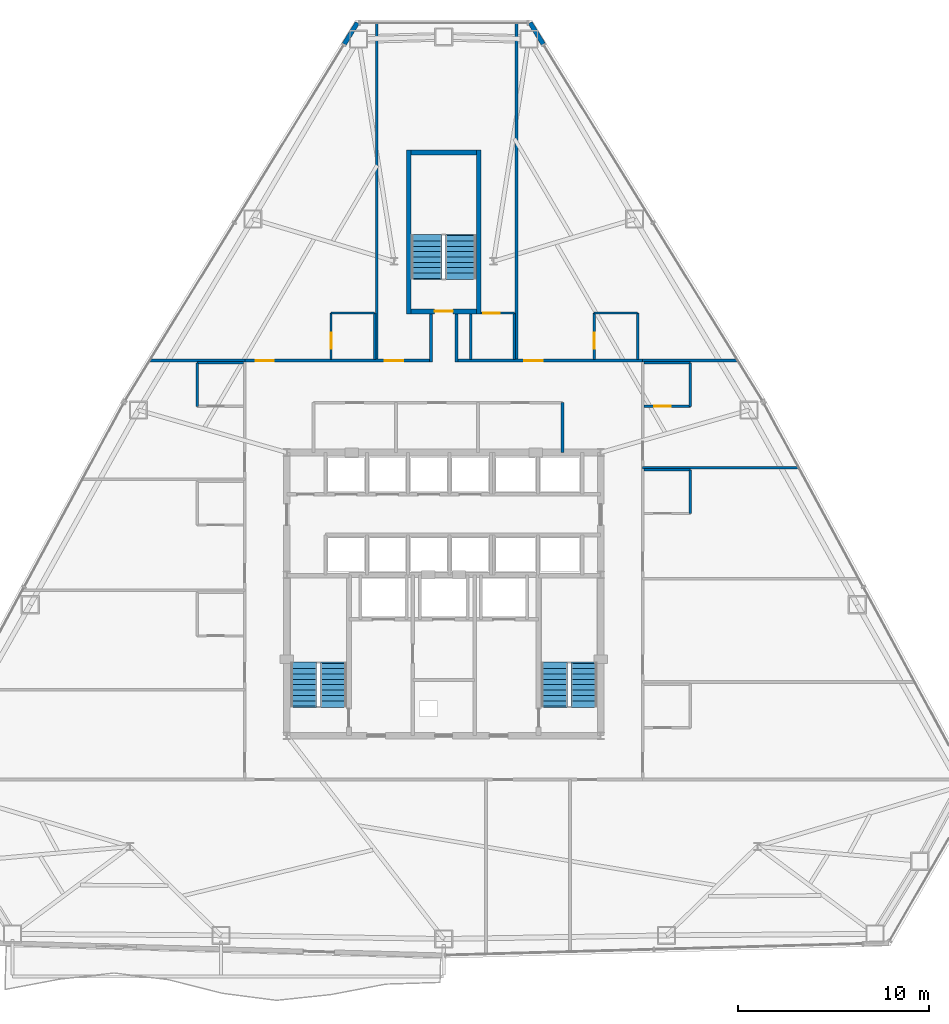
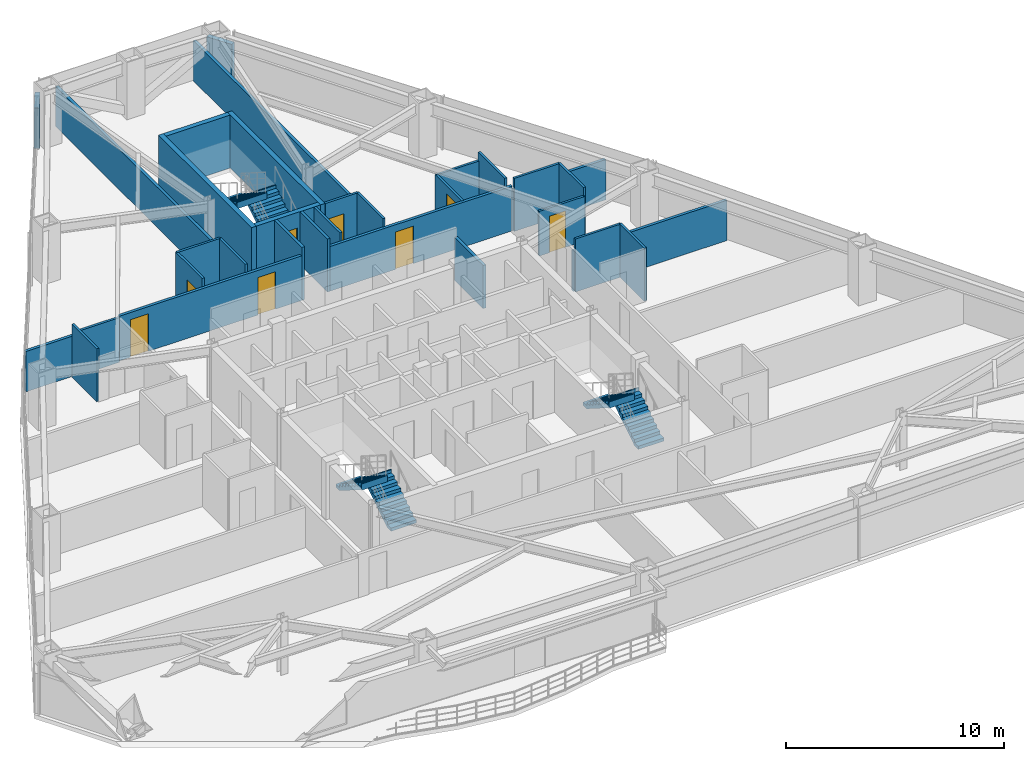
# One storey, part 11 of 13: 32 walls, 8 doors, 6 stair flights, 8 openings, 3 elements without a shape of their own.
"""IFC4 building model written with IfcOpenShell, lengths in metres."""

from ifc_helpers import new_model, si_unit, direction, frame, frame_2d, origin, place, context, subcontext, project, spatial, polyline, rectangle, outline, extrude, material, layer, layer_set, type_object, element, fill, aggregate, save


model = new_model("IFC4")

# Units and contexts
model_context = context("Model", 3, precision=1e-05, world=origin(), true_north=direction((0.0, 1.0)))
body_context = subcontext(model_context, "Body", "Model", "MODEL_VIEW")
ifc_project = project(units=[si_unit("LENGTHUNIT", "METRE"), si_unit("AREAUNIT", "SQUARE_METRE"), si_unit("VOLUMEUNIT", "CUBIC_METRE"), si_unit("PLANEANGLEUNIT", "RADIAN"), si_unit("MASSUNIT", "GRAM", prefix="KILO")], contexts=[model_context])

# Site, building, storey
site_placement = place(None, origin())
site = spatial("IfcSite", under=ifc_project, at=site_placement, CompositionType="ELEMENT")
building_placement = place(site_placement, origin())
building = spatial("IfcBuilding", under=site, at=building_placement, Name="Varakhsha Concourse Tower", CompositionType="ELEMENT")
storey_placement = place(building_placement, frame((0.0, 0.0, 102.199951171875)))
storey = spatial("IfcBuildingStorey", under=building, at=storey_placement, Name="L29", CompositionType="ELEMENT", Elevation=102.199951171875)

# Walls
ifc_material_1 = material(Name="Concrete fc 45 MPa", Category="concrete")
ifc_layer_1 = layer(ifc_material_1, 0.239990234375, Name="WL-EXT-CRN-240")
ifc_layer_set_1 = layer_set([ifc_layer_1], Name="Concrete fc 45 MPa")
wall_type_1 = type_object("IfcWallType", Name="WL-EXT-CRN-240", PredefinedType="SHEAR", material=ifc_layer_set_1)
for number, where, z_axis, x_axis, name in (
    (1, (35.484375, 53.66259765625, 0.0), (0.0, 0.0, 1.0), (-0.523671203533, -0.851920460248, 0.0), "L29 Wind-Corner Shoulder Wall F2"),
    (2, (45.201904296875, 52.546142578125, 0.0), (0.0, 0.0, 1.0), (-0.523671203533, 0.851920460248, 0.0), "L29 Wind-Corner Shoulder Wall F9"),
):
    element("IfcWall", number, at=place(storey_placement, frame(where, z_axis=z_axis, x_axis=x_axis)), inside=storey, type_object=wall_type_1, Name=name, PredefinedType="SHEAR", context=body_context, shape_type="SweptSolid", body=[
        extrude(rectangle(XDim=1.310546875, YDim=0.239990234375, at=frame_2d((0.6552734375, 0.0))), origin(), (0.0, 0.0, 1.0), 2.2529296875),
    ])
ifc_material_2 = material(Name="Acoustic Gypsum Board Partition Assembly", Category="gypsum")
ifc_layer_2 = layer(ifc_material_2, 0.1201171875, Name="WL-PART-120")
ifc_layer_set_2 = layer_set([ifc_layer_2], Name="Acoustic Gypsum Board Partition Assembly")
wall_type_2 = type_object("IfcWallType", Name="WL-PART-120", PredefinedType="PARTITIONING", material=ifc_layer_set_2)
wall_1_placement = place(storey_placement, frame((27.110107421875, 33.610107421875, 0.0), z_axis=(0.0, 0.0, 1.0), x_axis=(0.0, 1.0, 0.0)))
element("IfcWall", 3, at=wall_1_placement, inside=storey, type_object=wall_type_2, Name="L29 Wall ENSW-W-L29-H07", PredefinedType="PARTITIONING", context=body_context, shape_type="SweptSolid", body=[
    extrude(rectangle(XDim=2.27978515625, YDim=0.1201171875, at=frame_2d((1.139892578125, 0.0))), origin(), (0.0, 0.0, 1.0), 2.969970703125),
])
wall_2_placement = place(storey_placement, frame((27.110107421875, 35.889892578125, 0.0), z_axis=(0.0, 0.0, 1.0), x_axis=(1.0, 0.0, 0.0)))
element("IfcWall", 4, at=wall_2_placement, inside=storey, type_object=wall_type_2, Name="L29 Wall ENSW-N-L29-H07", PredefinedType="PARTITIONING", context=body_context, shape_type="SweptSolid", body=[
    extrude(rectangle(XDim=2.429931640625, YDim=0.1201171875, at=frame_2d((1.21484375, 0.0))), origin(), (0.0, 0.0, 1.0), 2.5029296875),
])
wall_3_placement = place(storey_placement, frame((52.889892578125, 28.010009765625, 0.0), z_axis=(0.0, 0.0, 1.0), x_axis=(0.0, 1.0, 0.0)))
element("IfcWall", 5, at=wall_3_placement, inside=storey, type_object=wall_type_2, Name="L29 Wall ENSW-E-L29-H10", PredefinedType="PARTITIONING", context=body_context, shape_type="SweptSolid", body=[
    extrude(rectangle(XDim=2.280029296875, YDim=0.1201171875, at=frame_2d((1.14013671875, 0.0))), origin(), (0.0, 0.0, 1.0), 2.969970703125),
])
wall_4_placement = place(storey_placement, frame((50.4599609375, 30.2900390625, 0.0), z_axis=(0.0, 0.0, 1.0), x_axis=(1.0, 0.0, 0.0)))
element("IfcWall", 6, at=wall_4_placement, inside=storey, type_object=wall_type_2, Name="L29 Wall ENSW-N-L29-H10", PredefinedType="PARTITIONING", context=body_context, shape_type="SweptSolid", body=[
    extrude(rectangle(XDim=2.429931640625, YDim=0.1201171875, at=frame_2d((1.21484375, 0.0))), origin(), (0.0, 0.0, 1.0), 2.969970703125),
])
wall_5_placement = place(storey_placement, frame((52.889892578125, 33.610107421875, 0.0), z_axis=(0.0, 0.0, 1.0), x_axis=(0.0, 1.0, 0.0)))
element("IfcWall", 7, at=wall_5_placement, inside=storey, type_object=wall_type_2, Name="L29 Wall ENSW-E-L29-H11", PredefinedType="PARTITIONING", context=body_context, shape_type="SweptSolid", body=[
    extrude(rectangle(XDim=2.27978515625, YDim=0.1201171875, at=frame_2d((1.139892578125, 0.0))), origin(), (0.0, 0.0, 1.0), 2.969970703125),
])

# Wall, opening, door
wall_6_placement = place(storey_placement, frame((50.4599609375, 33.610107421875, 0.0), z_axis=(0.0, 0.0, 1.0), x_axis=(1.0, 0.0, 0.0)))
wall_6 = element("IfcWall", 8, at=wall_6_placement, inside=storey, type_object=wall_type_2, Name="L29 Wall ENSW-S-L29-H11", PredefinedType="PARTITIONING", context=body_context, shape_type="SweptSolid", body=[
    extrude(rectangle(XDim=2.429931640625, YDim=0.1201171875, at=frame_2d((1.21484375, 0.0))), origin(), (0.0, 0.0, 1.0), 2.5029296875),
])
opening_1_placement = place(wall_6_placement, frame((0.550048828125, 0.0, 0.0)))
opening_1 = element("IfcOpeningElement", 9, at=opening_1_placement, cuts=wall_6, Name="Opening DI-01", PredefinedType="OPENING", context=body_context, shape_type="SweptSolid", body=[
    extrude(rectangle(XDim=0.85009765625, YDim=2.050048828125, at=frame_2d((0.425048828125, 1.02490234375))), frame((0.0, 0.070068359375, 0.0), z_axis=(0.0, -1.0, 0.0), x_axis=(1.0, 0.0, 0.0)), (0.0, 0.0, 1.0), 0.14013671875),
])
ifc_material_3 = material(Name="Architectural Walnut Acoustic Timber Door", Category="wood")
door_type_1 = type_object("IfcDoorType", Name="DR-INT-850", OperationType="NOTDEFINED", PredefinedType="DOOR", material=ifc_material_3)
door_1_placement = place(opening_1_placement, origin())
door_1 = element("IfcDoor", 10, at=door_1_placement, inside=storey, type_object=door_type_1, Name="L29 En-suite Bathroom Door L29-H11", OperationType="SINGLE_SWING_RIGHT", OverallHeight=2.050048828125, OverallWidth=0.85009765625, PredefinedType="DOOR", context=body_context, shape_type="SweptSolid", body=[
    extrude(rectangle(XDim=0.85009765625, YDim=2.050048828125, at=frame_2d((0.425048828125, 1.02490234375))), frame((0.0, 0.02490234375, 0.0), z_axis=(0.0, -1.0, 0.0), x_axis=(1.0, 0.0, 0.0)), (0.0, 0.0, 1.0), 0.050048828125),
])
fill(opening_1, door_1)

# Wall
wall_7_placement = place(storey_placement, frame((50.4599609375, 35.889892578125, 0.0), z_axis=(0.0, 0.0, 1.0), x_axis=(1.0, 0.0, 0.0)))
element("IfcWall", 11, at=wall_7_placement, inside=storey, type_object=wall_type_2, Name="L29 Wall ENSW-N-L29-H11", PredefinedType="PARTITIONING", context=body_context, shape_type="SweptSolid", body=[
    extrude(rectangle(XDim=2.429931640625, YDim=0.1201171875, at=frame_2d((1.21484375, 0.0))), origin(), (0.0, 0.0, 1.0), 2.969970703125),
])

# Wall, opening, door
wall_8_placement = place(storey_placement, frame((34.110107421875, 36.06005859375, 0.0), z_axis=(0.0, 0.0, 1.0), x_axis=(0.0, 1.0, 0.0)))
wall_8 = element("IfcWall", 12, at=wall_8_placement, inside=storey, type_object=wall_type_2, Name="L29 Wall ENSW-W-L29-H12", PredefinedType="PARTITIONING", context=body_context, shape_type="SweptSolid", body=[
    extrude(rectangle(XDim=2.429931640625, YDim=0.1201171875, at=frame_2d((1.21484375, 0.0))), origin(), (0.0, 0.0, 1.0), 2.969970703125),
])
opening_2_placement = place(wall_8_placement, frame((0.550048828125, 0.0, 0.0)))
opening_2 = element("IfcOpeningElement", 13, at=opening_2_placement, cuts=wall_8, Name="Opening DI-01", PredefinedType="OPENING", context=body_context, shape_type="SweptSolid", body=[
    extrude(rectangle(XDim=0.85009765625, YDim=2.050048828125, at=frame_2d((0.425048828125, 1.02490234375))), frame((0.0, 0.070068359375, 0.0), z_axis=(0.0, -1.0, 0.0), x_axis=(1.0, 0.0, 0.0)), (0.0, 0.0, 1.0), 0.14013671875),
])
door_2_placement = place(opening_2_placement, origin())
door_2 = element("IfcDoor", 14, at=door_2_placement, inside=storey, type_object=door_type_1, Name="L29 En-suite Bathroom Door L29-H12", OperationType="SINGLE_SWING_RIGHT", OverallHeight=2.050048828125, OverallWidth=0.85009765625, PredefinedType="DOOR", context=body_context, shape_type="SweptSolid", body=[
    extrude(rectangle(XDim=0.85009765625, YDim=2.050048828125, at=frame_2d((0.425048828125, 1.02490234375))), frame((0.0, 0.02490234375, 0.0), z_axis=(0.0, -1.0, 0.0), x_axis=(1.0, 0.0, 0.0)), (0.0, 0.0, 1.0), 0.050048828125),
])
fill(opening_2, door_2)

# Walls
wall_9_placement = place(storey_placement, frame((36.389892578125, 36.06005859375, 0.0), z_axis=(0.0, 0.0, 1.0), x_axis=(0.0, 1.0, 0.0)))
element("IfcWall", 15, at=wall_9_placement, inside=storey, type_object=wall_type_2, Name="L29 Wall ENSW-E-L29-H12", PredefinedType="PARTITIONING", context=body_context, shape_type="SweptSolid", body=[
    extrude(rectangle(XDim=2.429931640625, YDim=0.1201171875, at=frame_2d((1.21484375, 0.0))), origin(), (0.0, 0.0, 1.0), 2.969970703125),
])
wall_10_placement = place(storey_placement, frame((34.110107421875, 38.489990234375, 0.0), z_axis=(0.0, 0.0, 1.0), x_axis=(1.0, 0.0, 0.0)))
element("IfcWall", 16, at=wall_10_placement, inside=storey, type_object=wall_type_2, Name="L29 Wall ENSW-N-L29-H12", PredefinedType="PARTITIONING", context=body_context, shape_type="SweptSolid", body=[
    extrude(rectangle(XDim=2.27978515625, YDim=0.1201171875, at=frame_2d((1.139892578125, 0.0))), origin(), (0.0, 0.0, 1.0), 2.969970703125),
])
wall_11_placement = place(storey_placement, frame((41.409912109375, 36.06005859375, 0.0), z_axis=(0.0, 0.0, 1.0), x_axis=(0.0, 1.0, 0.0)))
element("IfcWall", 17, at=wall_11_placement, inside=storey, type_object=wall_type_2, Name="L29 Wall ENSW-W-L29-H13", PredefinedType="PARTITIONING", context=body_context, shape_type="SweptSolid", body=[
    extrude(rectangle(XDim=2.389892578125, YDim=0.1201171875, at=frame_2d((1.19482421875, 0.0))), origin(), (0.0, 0.0, 1.0), 2.969970703125),
])
wall_12_placement = place(storey_placement, frame((43.68994140625, 36.06005859375, 0.0), z_axis=(0.0, 0.0, 1.0), x_axis=(0.0, 1.0, 0.0)))
element("IfcWall", 18, at=wall_12_placement, inside=storey, type_object=wall_type_2, Name="L29 Wall ENSW-E-L29-H13", PredefinedType="PARTITIONING", context=body_context, shape_type="SweptSolid", body=[
    extrude(rectangle(XDim=2.429931640625, YDim=0.1201171875, at=frame_2d((1.21484375, 0.0))), origin(), (0.0, 0.0, 1.0), 2.969970703125),
])

# Wall, opening, door
wall_13_placement = place(storey_placement, frame((41.949951171875, 38.489990234375, 0.0), z_axis=(0.0, 0.0, 1.0), x_axis=(1.0, 0.0, 0.0)))
wall_13 = element("IfcWall", 19, at=wall_13_placement, inside=storey, type_object=wall_type_2, Name="L29 Wall ENSW-N-L29-H13", PredefinedType="PARTITIONING", context=body_context, shape_type="SweptSolid", body=[
    extrude(rectangle(XDim=1.739990234375, YDim=0.1201171875, at=frame_2d((0.8701171875, 0.0))), origin(), (0.0, 0.0, 1.0), 2.969970703125),
])
opening_3_placement = place(wall_13_placement, frame((0.1201171875, 0.0, 0.0)))
opening_3 = element("IfcOpeningElement", 20, at=opening_3_placement, cuts=wall_13, Name="Opening DI-01", PredefinedType="OPENING", context=body_context, shape_type="SweptSolid", body=[
    extrude(rectangle(XDim=0.85009765625, YDim=2.050048828125, at=frame_2d((0.425048828125, 1.02490234375))), frame((0.0, 0.070068359375, 0.0), z_axis=(0.0, -1.0, 0.0), x_axis=(1.0, 0.0, 0.0)), (0.0, 0.0, 1.0), 0.14013671875),
])
door_3_placement = place(opening_3_placement, origin())
door_3 = element("IfcDoor", 21, at=door_3_placement, inside=storey, type_object=door_type_1, Name="L29 En-suite Bathroom Door L29-H13", OperationType="SINGLE_SWING_RIGHT", OverallHeight=2.050048828125, OverallWidth=0.85009765625, PredefinedType="DOOR", context=body_context, shape_type="SweptSolid", body=[
    extrude(rectangle(XDim=0.85009765625, YDim=2.050048828125, at=frame_2d((0.425048828125, 1.02490234375))), frame((0.0, 0.02490234375, 0.0), z_axis=(0.0, -1.0, 0.0), x_axis=(1.0, 0.0, 0.0)), (0.0, 0.0, 1.0), 0.050048828125),
])
fill(opening_3, door_3)

wall_14_placement = place(storey_placement, frame((47.860107421875, 36.06005859375, 0.0), z_axis=(0.0, 0.0, 1.0), x_axis=(0.0, 1.0, 0.0)))
wall_14 = element("IfcWall", 22, at=wall_14_placement, inside=storey, type_object=wall_type_2, Name="L29 Wall ENSW-W-L29-H14", PredefinedType="PARTITIONING", context=body_context, shape_type="SweptSolid", body=[
    extrude(rectangle(XDim=2.429931640625, YDim=0.1201171875, at=frame_2d((1.21484375, 0.0))), origin(), (0.0, 0.0, 1.0), 2.5029296875),
])
opening_4_placement = place(wall_14_placement, frame((0.550048828125, 0.0, 0.0)))
opening_4 = element("IfcOpeningElement", 23, at=opening_4_placement, cuts=wall_14, Name="Opening DI-01", PredefinedType="OPENING", context=body_context, shape_type="SweptSolid", body=[
    extrude(rectangle(XDim=0.85009765625, YDim=2.050048828125, at=frame_2d((0.425048828125, 1.02490234375))), frame((0.0, 0.070068359375, 0.0), z_axis=(0.0, -1.0, 0.0), x_axis=(1.0, 0.0, 0.0)), (0.0, 0.0, 1.0), 0.14013671875),
])
door_4_placement = place(opening_4_placement, origin())
door_4 = element("IfcDoor", 24, at=door_4_placement, inside=storey, type_object=door_type_1, Name="L29 En-suite Bathroom Door L29-H14", OperationType="SINGLE_SWING_RIGHT", OverallHeight=2.050048828125, OverallWidth=0.85009765625, PredefinedType="DOOR", context=body_context, shape_type="SweptSolid", body=[
    extrude(rectangle(XDim=0.85009765625, YDim=2.050048828125, at=frame_2d((0.425048828125, 1.02490234375))), frame((0.0, 0.02490234375, 0.0), z_axis=(0.0, -1.0, 0.0), x_axis=(1.0, 0.0, 0.0)), (0.0, 0.0, 1.0), 0.050048828125),
])
fill(opening_4, door_4)

# Walls
wall_15_placement = place(storey_placement, frame((50.139892578125, 36.06005859375, 0.0), z_axis=(0.0, 0.0, 1.0), x_axis=(0.0, 1.0, 0.0)))
element("IfcWall", 25, at=wall_15_placement, inside=storey, type_object=wall_type_2, Name="L29 Wall ENSW-E-L29-H14", PredefinedType="PARTITIONING", context=body_context, shape_type="SweptSolid", body=[
    extrude(rectangle(XDim=2.429931640625, YDim=0.1201171875, at=frame_2d((1.21484375, 0.0))), origin(), (0.0, 0.0, 1.0), 2.969970703125),
])
wall_16_placement = place(storey_placement, frame((47.860107421875, 38.489990234375, 0.0), z_axis=(0.0, 0.0, 1.0), x_axis=(1.0, 0.0, 0.0)))
element("IfcWall", 26, at=wall_16_placement, inside=storey, type_object=wall_type_2, Name="L29 Wall ENSW-N-L29-H14", PredefinedType="PARTITIONING", context=body_context, shape_type="SweptSolid", body=[
    extrude(rectangle(XDim=2.27978515625, YDim=0.1201171875, at=frame_2d((1.139892578125, 0.0))), origin(), (0.0, 0.0, 1.0), 2.5029296875),
])
ifc_material_4 = material(Name="Fire-Rated Type X Gypsum Partition Assembly", Category="gypsum")
ifc_layer_3 = layer(ifc_material_4, 0.14990234375, Name="WL-PART-150")
ifc_layer_set_3 = layer_set([ifc_layer_3], Name="Fire-Rated Type X Gypsum Partition Assembly")
wall_type_3 = type_object("IfcWallType", Name="WL-PART-150", PredefinedType="PARTITIONING", material=ifc_layer_set_3)
wall_17_placement = place(storey_placement, frame((46.199951171875, 31.199951171875, 0.0), z_axis=(0.0, 0.0, 1.0), x_axis=(0.0, 1.0, 0.0)))
element("IfcWall", 27, at=wall_17_placement, inside=storey, type_object=wall_type_3, Name="L29 Wall NBOH-E-L29", PredefinedType="PARTITIONING", context=body_context, shape_type="SweptSolid", body=[
    extrude(rectangle(XDim=2.60009765625, YDim=0.14990234375, at=frame_2d((1.300048828125, 0.0))), origin(), (0.0, 0.0, 1.0), 2.421142578125),
])

# Wall, openings, doors
wall_18_placement = place(storey_placement, frame((29.60009765625, 36.0, 0.0), z_axis=(0.0, 0.0, 1.0), x_axis=(1.0, 0.0, 0.0)))
wall_18 = element("IfcWall", 28, at=wall_18_placement, inside=storey, type_object=wall_type_3, Name="L29 Wall CRW-N-L29", PredefinedType="PARTITIONING", context=body_context, shape_type="SweptSolid", body=[
    extrude(rectangle(XDim=9.64990234375, YDim=0.14990234375, at=frame_2d((4.824951171875, 0.0))), origin(), (0.0, 0.0, 1.0), 2.5029296875),
])
opening_5_placement = place(wall_18_placement, frame((0.570068359375, 0.0, 0.0)))
opening_5 = element("IfcOpeningElement", 29, at=opening_5_placement, cuts=wall_18, Name="Opening DF-05", PredefinedType="OPENING", context=body_context, shape_type="SweptSolid", body=[
    extrude(rectangle(XDim=0.949951171875, YDim=2.10009765625, at=frame_2d((0.47509765625, 1.050048828125))), frame((0.0, 0.0849609375, 0.0), z_axis=(0.0, -1.0, 0.0), x_axis=(1.0, 0.0, 0.0)), (0.0, 0.0, 1.0), 0.169921875),
])
opening_6_placement = place(wall_18_placement, frame((7.320068359375, 0.0, 0.0)))
opening_6 = element("IfcOpeningElement", 30, at=opening_6_placement, cuts=wall_18, Name="Opening DF-05", PredefinedType="OPENING", context=body_context, shape_type="SweptSolid", body=[
    extrude(rectangle(XDim=0.949951171875, YDim=2.10009765625, at=frame_2d((0.47509765625, 1.050048828125))), frame((0.0, 0.0849609375, 0.0), z_axis=(0.0, -1.0, 0.0), x_axis=(1.0, 0.0, 0.0)), (0.0, 0.0, 1.0), 0.169921875),
])
ifc_material_5 = material(Name="Hollow Galvanised Steel Fire Door Assembly", Category="steel")
door_type_2 = type_object("IfcDoorType", Name="DR-FD60-950", OperationType="NOTDEFINED", PredefinedType="DOOR", material=ifc_material_5)
door_5_placement = place(opening_5_placement, origin())
door_5 = element("IfcDoor", 31, at=door_5_placement, inside=storey, type_object=door_type_2, Name="L29 Hotel Corner Suite L29-H12 Entry Door", OperationType="SINGLE_SWING_RIGHT", OverallHeight=2.10009765625, OverallWidth=0.949951171875, PredefinedType="DOOR", context=body_context, shape_type="SweptSolid", body=[
    extrude(rectangle(XDim=0.949951171875, YDim=2.10009765625, at=frame_2d((0.47509765625, 1.050048828125))), frame((0.0, 0.02490234375, 0.0), z_axis=(0.0, -1.0, 0.0), x_axis=(1.0, 0.0, 0.0)), (0.0, 0.0, 1.0), 0.050048828125),
])
fill(opening_5, door_5)
door_6_placement = place(opening_6_placement, origin())
door_6 = element("IfcDoor", 32, at=door_6_placement, inside=storey, type_object=door_type_2, Name="L29 Hotel Corner Suite L29-H13 Entry Door", OperationType="SINGLE_SWING_LEFT", OverallHeight=2.10009765625, OverallWidth=0.949951171875, PredefinedType="DOOR", context=body_context, shape_type="SweptSolid", body=[
    extrude(rectangle(XDim=0.949951171875, YDim=2.10009765625, at=frame_2d((0.47509765625, 1.050048828125))), frame((0.0, 0.02490234375, 0.0), z_axis=(0.0, -1.0, 0.0), x_axis=(1.0, 0.0, 0.0)), (0.0, 0.0, 1.0), 0.050048828125),
])
fill(opening_6, door_6)

# Wall, opening, door
wall_19_placement = place(storey_placement, frame((40.75, 36.0, 0.0), z_axis=(0.0, 0.0, 1.0), x_axis=(1.0, 0.0, 0.0)))
wall_19 = element("IfcWall", 33, at=wall_19_placement, inside=storey, type_object=wall_type_3, Name="L29 Wall CRW-N-L29-B", PredefinedType="PARTITIONING", context=body_context, shape_type="SweptSolid", body=[
    extrude(rectangle(XDim=9.64990234375, YDim=0.14990234375, at=frame_2d((4.824951171875, 0.0))), origin(), (0.0, 0.0, 1.0), 2.5029296875),
])
opening_7_placement = place(wall_19_placement, frame((3.469970703125, 0.0, 0.0)))
opening_7 = element("IfcOpeningElement", 34, at=opening_7_placement, cuts=wall_19, Name="Opening DF-05", PredefinedType="OPENING", context=body_context, shape_type="SweptSolid", body=[
    extrude(rectangle(XDim=0.949951171875, YDim=2.10009765625, at=frame_2d((0.47509765625, 1.050048828125))), frame((0.0, 0.0849609375, 0.0), z_axis=(0.0, -1.0, 0.0), x_axis=(1.0, 0.0, 0.0)), (0.0, 0.0, 1.0), 0.169921875),
])
door_7_placement = place(opening_7_placement, origin())
door_7 = element("IfcDoor", 35, at=door_7_placement, inside=storey, type_object=door_type_2, Name="L29 Hotel Corner Suite L29-H14 Entry Door", OperationType="SINGLE_SWING_RIGHT", OverallHeight=2.10009765625, OverallWidth=0.949951171875, PredefinedType="DOOR", context=body_context, shape_type="SweptSolid", body=[
    extrude(rectangle(XDim=0.949951171875, YDim=2.10009765625, at=frame_2d((0.47509765625, 1.050048828125))), frame((0.0, 0.02490234375, 0.0), z_axis=(0.0, -1.0, 0.0), x_axis=(1.0, 0.0, 0.0)), (0.0, 0.0, 1.0), 0.050048828125),
])
fill(opening_7, door_7)

# Walls
for number, where, z_axis, x_axis, name in (
    (36, (24.63330078125, 36.0, 0.0), (0.0, 0.0, 1.0), (1.0, 0.0, 0.0), "L29 Wall HDIV-WBN-L29"),
    (37, (50.39990234375, 36.0, 0.0), (0.0, 0.0, 1.0), (1.0, 0.0, 0.0), "L29 Wall HDIV-EBN-L29"),
):
    element("IfcWall", number, at=place(storey_placement, frame(where, z_axis=z_axis, x_axis=x_axis)), inside=storey, type_object=wall_type_3, Name=name, PredefinedType="PARTITIONING", context=body_context, shape_type="SweptSolid", body=[
        extrude(rectangle(XDim=4.966796875, YDim=0.14990234375, at=frame_2d((2.4833984375, 0.0))), origin(), (0.0, 0.0, 1.0), 2.258056640625),
    ])
wall_20_placement = place(storey_placement, frame((50.39990234375, 30.39990234375, 0.0), z_axis=(0.0, 0.0, 1.0), x_axis=(1.0, 0.0, 0.0)))
element("IfcWall", 38, at=wall_20_placement, inside=storey, type_object=wall_type_3, Name="L29 Wall HDIV-E3-L29", PredefinedType="PARTITIONING", context=body_context, shape_type="SweptSolid", body=[
    extrude(rectangle(XDim=8.156494140625, YDim=0.14990234375, at=frame_2d((4.078125, 0.0))), origin(), (0.0, 0.0, 1.0), 2.258056640625),
])
for number, where, z_axis, x_axis, name in (
    (39, (36.5, 36.0, 0.0), (0.0, 0.0, 1.0), (0.0, 1.0, 0.0), "L29 Wall HDIV-N1-L29"),
    (40, (43.800048828125, 36.0, 0.0), (0.0, 0.0, 1.0), (0.0, 1.0, 0.0), "L29 Wall HDIV-N2-L29"),
):
    element("IfcWall", number, at=place(storey_placement, frame(where, z_axis=z_axis, x_axis=x_axis)), inside=storey, type_object=wall_type_3, Name=name, PredefinedType="PARTITIONING", context=body_context, shape_type="SweptSolid", body=[
        extrude(rectangle(XDim=17.642822265625, YDim=0.14990234375, at=frame_2d((8.8212890625, 0.0))), origin(), (0.0, 0.0, 1.0), 2.258056640625),
    ])
for number, where, z_axis, x_axis, name in (
    (41, (39.324951171875, 35.925048828125, 0.0), (0.0, 0.0, 1.0), (0.0, 1.0, 0.0), "L29 Wall STUB-W-L29"),
    (42, (40.675048828125, 35.925048828125, 0.0), (0.0, 0.0, 1.0), (0.0, 1.0, 0.0), "L29 Wall STUB-E-L29"),
):
    element("IfcWall", number, at=place(storey_placement, frame(where, z_axis=z_axis, x_axis=x_axis)), inside=storey, type_object=wall_type_3, Name=name, PredefinedType="PARTITIONING", context=body_context, shape_type="SweptSolid", body=[
        extrude(rectangle(XDim=2.52490234375, YDim=0.14990234375, at=frame_2d((1.262451171875, 0.0))), origin(), (0.0, 0.0, 1.0), 2.969970703125),
    ])
ifc_layer_4 = layer(ifc_material_1, 0.25, Name="WL-STAIR-250")
ifc_layer_set_4 = layer_set([ifc_layer_4], Name="Concrete fc 45 MPa")
wall_type_4 = type_object("IfcWallType", Name="WL-STAIR-250", PredefinedType="SHEAR", material=ifc_layer_set_4)
for number, where, z_axis, x_axis, name in (
    (43, (38.175048828125, 38.449951171875, 0.0), (0.0, 0.0, 1.0), (0.0, 1.0, 0.0), "L29 Wall SWALL-ST5-W-L29"),
    (44, (41.824951171875, 38.449951171875, 0.0), (0.0, 0.0, 1.0), (0.0, 1.0, 0.0), "L29 Wall SWALL-ST5-E-L29"),
):
    element("IfcWall", number, at=place(storey_placement, frame(where, z_axis=z_axis, x_axis=x_axis)), inside=storey, type_object=wall_type_4, Name=name, PredefinedType="SHEAR", context=body_context, shape_type="SweptSolid", body=[
        extrude(rectangle(XDim=8.550048828125, YDim=0.25, at=frame_2d((4.27490234375, 0.0))), origin(), (0.0, 0.0, 1.0), 2.969970703125),
    ])

# Wall, opening, door
wall_21_placement = place(storey_placement, frame((38.300048828125, 38.574951171875, 0.0), z_axis=(0.0, 0.0, 1.0), x_axis=(1.0, 0.0, 0.0)))
wall_21 = element("IfcWall", 45, at=wall_21_placement, inside=storey, type_object=wall_type_4, Name="L29 Wall SWALL-ST5-S-L29", PredefinedType="SHEAR", context=body_context, shape_type="SweptSolid", body=[
    extrude(rectangle(XDim=3.39990234375, YDim=0.25, at=frame_2d((1.699951171875, 0.0))), origin(), (0.0, 0.0, 1.0), 2.969970703125),
])
opening_8_placement = place(wall_21_placement, frame((1.22509765625, 0.0, 0.0)))
opening_8 = element("IfcOpeningElement", 46, at=opening_8_placement, cuts=wall_21, Name="Opening DF-03", PredefinedType="OPENING", context=body_context, shape_type="SweptSolid", body=[
    extrude(rectangle(XDim=0.949951171875, YDim=2.10009765625, at=frame_2d((0.47509765625, 1.050048828125))), frame((0.0, 0.135009765625, 0.0), z_axis=(0.0, -1.0, 0.0), x_axis=(1.0, 0.0, 0.0)), (0.0, 0.0, 1.0), 0.27001953125),
])
door_type_3 = type_object("IfcDoorType", Name="DR-FD90-950", OperationType="NOTDEFINED", PredefinedType="DOOR", material=ifc_material_5)
door_8_placement = place(opening_8_placement, origin())
door_8 = element("IfcDoor", 47, at=door_8_placement, inside=storey, type_object=door_type_3, Name="L29 Stair ST5 Fire Door", OperationType="SINGLE_SWING_RIGHT", OverallHeight=2.10009765625, OverallWidth=0.949951171875, PredefinedType="DOOR", context=body_context, shape_type="SweptSolid", body=[
    extrude(rectangle(XDim=0.949951171875, YDim=2.10009765625, at=frame_2d((0.47509765625, 1.050048828125))), frame((0.0, 0.02490234375, 0.0), z_axis=(0.0, -1.0, 0.0), x_axis=(1.0, 0.0, 0.0)), (0.0, 0.0, 1.0), 0.050048828125),
])
fill(opening_8, door_8)

# Wall
wall_22_placement = place(storey_placement, frame((38.300048828125, 46.875, 0.0), z_axis=(0.0, 0.0, 1.0), x_axis=(1.0, 0.0, 0.0)))
element("IfcWall", 48, at=wall_22_placement, inside=storey, type_object=wall_type_4, Name="L29 Wall SWALL-ST5-N-L29", PredefinedType="SHEAR", context=body_context, shape_type="SweptSolid", body=[
    extrude(rectangle(XDim=3.39990234375, YDim=0.25, at=frame_2d((1.699951171875, 0.0))), origin(), (0.0, 0.0, 1.0), 2.969970703125),
])

# Stair, stair flights
stair_type_1 = type_object("IfcStairType", Name="ST-DOGLEG-1360", PredefinedType="HALF_TURN_STAIR", material=ifc_material_1)
stair_1_placement = place(storey_placement, origin())
stair_1 = element("IfcStair", 49, at=stair_1_placement, inside=storey, type_object=stair_type_1, Name="L29 Protected Exit Stair ST1", PredefinedType="HALF_TURN_STAIR")
stair_flight_type_1 = type_object("IfcStairFlightType", Name="STF-1360-R1778", PredefinedType="STRAIGHT", material=ifc_material_1)
stair_flight_1_placement = place(storey_placement, frame((34.239990234375, 17.93994140625, 0.0), z_axis=(0.0, 0.0, 1.0), x_axis=(0.0, 1.0, 0.0)))
stair_flight_1 = element("IfcStairFlight", 50, at=stair_flight_1_placement, type_object=stair_flight_type_1, Name="ST1 flight 1", NumberOfRisers=9, NumberOfTreads=8, PredefinedType="STRAIGHT", RiserHeight=0.177777778, TreadLength=0.28, context=body_context, shape_type="SweptSolid", body=[
    extrude(outline(polyline([(-0.06005859375, 0.0), (-0.06005859375, 0.177734375), (0.0, 0.177734375), (0.280029296875, 0.177734375), (0.280029296875, 0.35546875), (0.56005859375, 0.35546875), (0.56005859375, 0.533447265625), (0.840087890625, 0.533447265625), (0.840087890625, 0.711181640625), (1.1201171875, 0.711181640625), (1.1201171875, 0.888916015625), (1.39990234375, 0.888916015625), (1.39990234375, 1.066650390625), (1.679931640625, 1.066650390625), (1.679931640625, 1.244384765625), (1.9599609375, 1.244384765625), (1.9599609375, 1.422119140625), (2.239990234375, 1.422119140625), (2.239990234375, 1.60009765625), (2.300048828125, 1.60009765625), (2.300048828125, 1.24462890625), (2.239990234375, 1.24462890625), (0.27978515625, 0.0), (-0.06005859375, 0.0)])), frame((0.0, 0.68017578125, 0.0), z_axis=(0.0, -1.0, 0.0), x_axis=(1.0, 0.0, 0.0)), (0.0, 0.0, 1.0), 1.360107421875),
])
stair_flight_2_placement = place(storey_placement, frame((32.679931640625, 20.179931640625, 1.60009765625), z_axis=(0.0, 0.0, 1.0), x_axis=(0.0, -1.0, 0.0)))
stair_flight_2 = element("IfcStairFlight", 51, at=stair_flight_2_placement, type_object=stair_flight_type_1, Name="ST1 flight 2", NumberOfRisers=9, NumberOfTreads=8, PredefinedType="STRAIGHT", RiserHeight=0.177777778, TreadLength=0.28, context=body_context, shape_type="SweptSolid", body=[
    extrude(outline(polyline([(-0.06005859375, 0.0), (-0.06005859375, 0.177734375), (0.0, 0.177734375), (0.280029296875, 0.177734375), (0.280029296875, 0.35546875), (0.56005859375, 0.35546875), (0.56005859375, 0.533447265625), (0.840087890625, 0.533447265625), (0.840087890625, 0.711181640625), (1.1201171875, 0.711181640625), (1.1201171875, 0.888916015625), (1.39990234375, 0.888916015625), (1.39990234375, 1.066650390625), (1.679931640625, 1.066650390625), (1.679931640625, 1.244384765625), (1.9599609375, 1.244384765625), (1.9599609375, 1.422119140625), (2.239990234375, 1.422119140625), (2.239990234375, 1.60009765625), (2.300048828125, 1.60009765625), (2.300048828125, 1.24462890625), (2.239990234375, 1.24462890625), (0.27978515625, 0.0), (-0.06005859375, 0.0)])), frame((0.0, 0.68017578125, 0.0), z_axis=(0.0, -1.0, 0.0), x_axis=(1.0, 0.0, 0.0)), (0.0, 0.0, 1.0), 1.360107421875),
])
aggregate(stair_1, [stair_flight_1, stair_flight_2])

stair_2_placement = place(storey_placement, origin())
stair_2 = element("IfcStair", 52, at=stair_2_placement, inside=storey, type_object=stair_type_1, Name="L29 Protected Exit Stair ST2", PredefinedType="HALF_TURN_STAIR")
stair_flight_3_placement = place(storey_placement, frame((47.340087890625, 17.93994140625, 0.0), z_axis=(0.0, 0.0, 1.0), x_axis=(0.0, 1.0, 0.0)))
stair_flight_3 = element("IfcStairFlight", 53, at=stair_flight_3_placement, type_object=stair_flight_type_1, Name="ST2 flight 1", NumberOfRisers=9, NumberOfTreads=8, PredefinedType="STRAIGHT", RiserHeight=0.177777778, TreadLength=0.28, context=body_context, shape_type="SweptSolid", body=[
    extrude(outline(polyline([(-0.06005859375, 0.0), (-0.06005859375, 0.177734375), (0.0, 0.177734375), (0.280029296875, 0.177734375), (0.280029296875, 0.35546875), (0.56005859375, 0.35546875), (0.56005859375, 0.533447265625), (0.840087890625, 0.533447265625), (0.840087890625, 0.711181640625), (1.1201171875, 0.711181640625), (1.1201171875, 0.888916015625), (1.39990234375, 0.888916015625), (1.39990234375, 1.066650390625), (1.679931640625, 1.066650390625), (1.679931640625, 1.244384765625), (1.9599609375, 1.244384765625), (1.9599609375, 1.422119140625), (2.239990234375, 1.422119140625), (2.239990234375, 1.60009765625), (2.300048828125, 1.60009765625), (2.300048828125, 1.24462890625), (2.239990234375, 1.24462890625), (0.27978515625, 0.0), (-0.06005859375, 0.0)])), frame((0.0, 0.68017578125, 0.0), z_axis=(0.0, -1.0, 0.0), x_axis=(1.0, 0.0, 0.0)), (0.0, 0.0, 1.0), 1.360107421875),
])
stair_flight_4_placement = place(storey_placement, frame((45.780029296875, 20.179931640625, 1.60009765625), z_axis=(0.0, 0.0, 1.0), x_axis=(0.0, -1.0, 0.0)))
stair_flight_4 = element("IfcStairFlight", 54, at=stair_flight_4_placement, type_object=stair_flight_type_1, Name="ST2 flight 2", NumberOfRisers=9, NumberOfTreads=8, PredefinedType="STRAIGHT", RiserHeight=0.177777778, TreadLength=0.28, context=body_context, shape_type="SweptSolid", body=[
    extrude(outline(polyline([(-0.06005859375, 0.0), (-0.06005859375, 0.177734375), (0.0, 0.177734375), (0.280029296875, 0.177734375), (0.280029296875, 0.35546875), (0.56005859375, 0.35546875), (0.56005859375, 0.533447265625), (0.840087890625, 0.533447265625), (0.840087890625, 0.711181640625), (1.1201171875, 0.711181640625), (1.1201171875, 0.888916015625), (1.39990234375, 0.888916015625), (1.39990234375, 1.066650390625), (1.679931640625, 1.066650390625), (1.679931640625, 1.244384765625), (1.9599609375, 1.244384765625), (1.9599609375, 1.422119140625), (2.239990234375, 1.422119140625), (2.239990234375, 1.60009765625), (2.300048828125, 1.60009765625), (2.300048828125, 1.24462890625), (2.239990234375, 1.24462890625), (0.27978515625, 0.0), (-0.06005859375, 0.0)])), frame((0.0, 0.68017578125, 0.0), z_axis=(0.0, -1.0, 0.0), x_axis=(1.0, 0.0, 0.0)), (0.0, 0.0, 1.0), 1.360107421875),
])
aggregate(stair_2, [stair_flight_3, stair_flight_4])

stair_type_2 = type_object("IfcStairType", Name="ST-DOGLEG-1600", PredefinedType="HALF_TURN_STAIR", material=ifc_material_1)
stair_3_placement = place(storey_placement, origin())
stair_3 = element("IfcStair", 55, at=stair_3_placement, inside=storey, type_object=stair_type_2, Name="L29 Protected Exit Stair ST5", PredefinedType="HALF_TURN_STAIR")
stair_flight_type_2 = type_object("IfcStairFlightType", Name="STF-1600-R1778", PredefinedType="STRAIGHT", material=ifc_material_1)
stair_flight_5_placement = place(storey_placement, frame((40.89990234375, 40.300048828125, 0.0), z_axis=(0.0, 0.0, 1.0), x_axis=(0.0, 1.0, 0.0)))
stair_flight_5 = element("IfcStairFlight", 56, at=stair_flight_5_placement, type_object=stair_flight_type_2, Name="ST5 flight 1", NumberOfRisers=9, NumberOfTreads=8, PredefinedType="STRAIGHT", RiserHeight=0.177777778, TreadLength=0.28, context=body_context, shape_type="SweptSolid", body=[
    extrude(outline(polyline([(-0.06005859375, 0.0), (-0.06005859375, 0.177734375), (0.0, 0.177734375), (0.280029296875, 0.177734375), (0.280029296875, 0.35546875), (0.56005859375, 0.35546875), (0.56005859375, 0.533447265625), (0.840087890625, 0.533447265625), (0.840087890625, 0.711181640625), (1.1201171875, 0.711181640625), (1.1201171875, 0.888916015625), (1.39990234375, 0.888916015625), (1.39990234375, 1.066650390625), (1.679931640625, 1.066650390625), (1.679931640625, 1.244384765625), (1.9599609375, 1.244384765625), (1.9599609375, 1.422119140625), (2.239990234375, 1.422119140625), (2.239990234375, 1.60009765625), (2.300048828125, 1.60009765625), (2.300048828125, 1.24462890625), (2.239990234375, 1.24462890625), (0.27978515625, 0.0), (-0.06005859375, 0.0)])), frame((0.0, 0.800048828125, 0.0), z_axis=(0.0, -1.0, 0.0), x_axis=(1.0, 0.0, 0.0)), (0.0, 0.0, 1.0), 1.60009765625),
])
stair_flight_6_placement = place(storey_placement, frame((39.10009765625, 42.5400390625, 1.60009765625), z_axis=(0.0, 0.0, 1.0), x_axis=(0.0, -1.0, 0.0)))
stair_flight_6 = element("IfcStairFlight", 57, at=stair_flight_6_placement, type_object=stair_flight_type_2, Name="ST5 flight 2", NumberOfRisers=9, NumberOfTreads=8, PredefinedType="STRAIGHT", RiserHeight=0.177777778, TreadLength=0.28, context=body_context, shape_type="SweptSolid", body=[
    extrude(outline(polyline([(-0.06005859375, 0.0), (-0.06005859375, 0.177734375), (0.0, 0.177734375), (0.280029296875, 0.177734375), (0.280029296875, 0.35546875), (0.56005859375, 0.35546875), (0.56005859375, 0.533447265625), (0.840087890625, 0.533447265625), (0.840087890625, 0.711181640625), (1.1201171875, 0.711181640625), (1.1201171875, 0.888916015625), (1.39990234375, 0.888916015625), (1.39990234375, 1.066650390625), (1.679931640625, 1.066650390625), (1.679931640625, 1.244384765625), (1.9599609375, 1.244384765625), (1.9599609375, 1.422119140625), (2.239990234375, 1.422119140625), (2.239990234375, 1.60009765625), (2.300048828125, 1.60009765625), (2.300048828125, 1.24462890625), (2.239990234375, 1.24462890625), (0.27978515625, 0.0), (-0.06005859375, 0.0)])), frame((0.0, 0.800048828125, 0.0), z_axis=(0.0, -1.0, 0.0), x_axis=(1.0, 0.0, 0.0)), (0.0, 0.0, 1.0), 1.60009765625),
])
aggregate(stair_3, [stair_flight_5, stair_flight_6])

save(model, "model.ifc")
